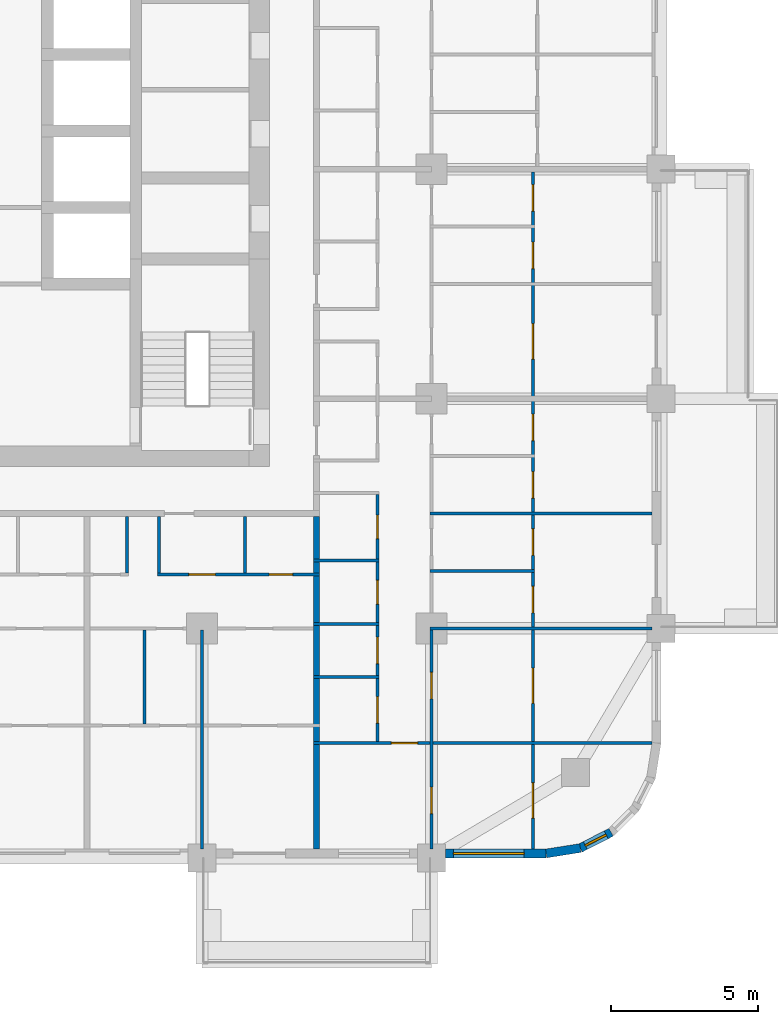
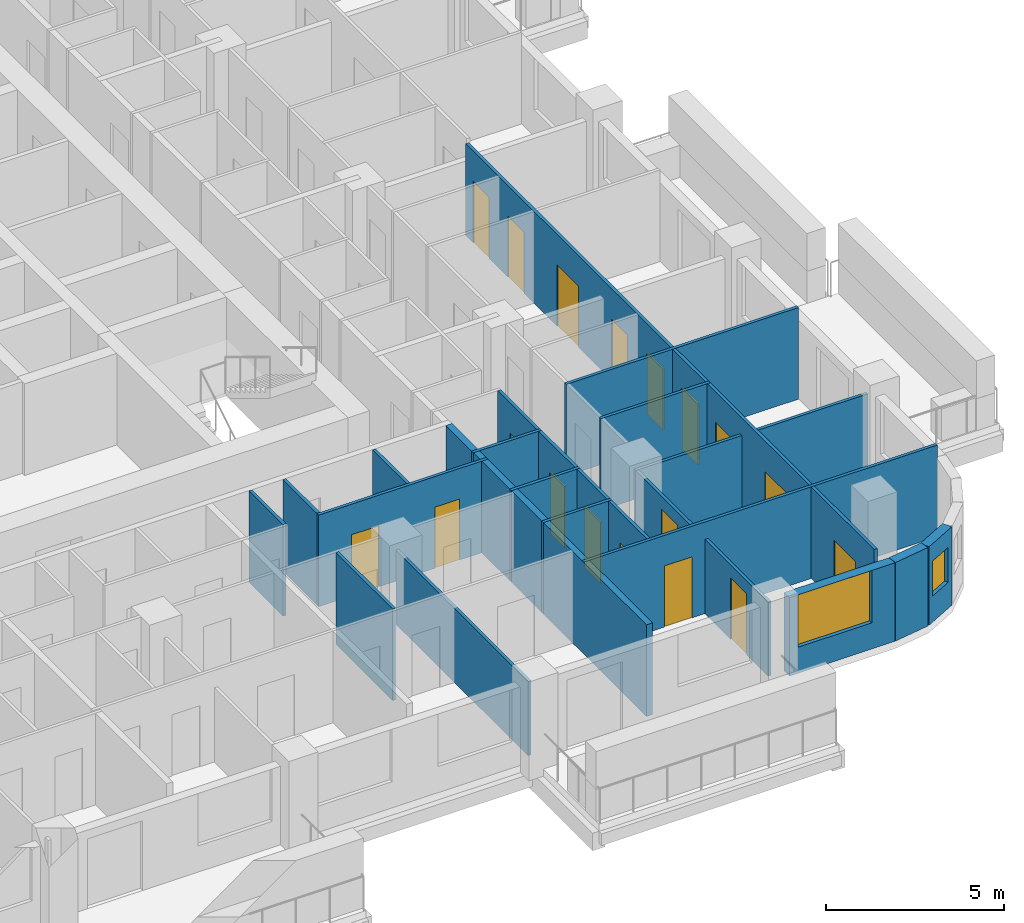
# One storey, part 7 of 18: 20 walls, 18 doors, 2 windows, 20 openings.
"""IFC4 building model written with IfcOpenShell, lengths in metres."""

from ifc_helpers import new_model, si_unit, direction, frame, frame_2d, origin, place, context, subcontext, project, spatial, rectangle, extrude, material, layer, layer_set, type_object, element, fill, save


model = new_model("IFC4")

# Units and contexts
model_context = context("Model", 3, precision=1e-05, world=origin(), true_north=direction((0.0, 1.0)))
body_context = subcontext(model_context, "Body", "Model", "MODEL_VIEW")
ifc_project = project(units=[si_unit("LENGTHUNIT", "METRE"), si_unit("AREAUNIT", "SQUARE_METRE"), si_unit("VOLUMEUNIT", "CUBIC_METRE"), si_unit("PLANEANGLEUNIT", "RADIAN"), si_unit("MASSUNIT", "GRAM", prefix="KILO")], contexts=[model_context])

# Site, building, storey
site_placement = place(None, origin())
site = spatial("IfcSite", under=ifc_project, at=site_placement, CompositionType="ELEMENT")
building_placement = place(site_placement, origin())
building = spatial("IfcBuilding", under=site, at=building_placement, Name="Ludao Terraces", CompositionType="ELEMENT")
storey_placement = place(building_placement, frame((0.0, 0.0, 61.39990234375)))
storey = spatial("IfcBuildingStorey", under=building, at=storey_placement, Name="L16", CompositionType="ELEMENT", Elevation=61.39990234375)

# Wall, opening, window
ifc_material_1 = material(Name="Granite cladding", Category="masonry")
ifc_layer_1 = layer(ifc_material_1, 0.0400390625, Category="stone")
ifc_material_2 = material(Name="Mineral wool")
ifc_layer_2 = layer(ifc_material_2, 0.06005859375)
ifc_material_3 = material(Name="Concrete C40", Category="concrete")
ifc_layer_3 = layer(ifc_material_3, 0.199951171875, Category="concrete")
ifc_layer_set_1 = layer_set([ifc_layer_1, ifc_layer_2, ifc_layer_3], Name="ENV Stone-clad wall 300")
wall_type_1 = type_object("IfcWallType", Name="ENV Stone-clad wall 300", PredefinedType="SOLIDWALL", material=ifc_layer_set_1)
wall_1_placement = place(storey_placement, frame((101.074951171875, 41.75, 0.0), z_axis=(0.0, 0.0, 1.0), x_axis=(1.0, 0.0, 0.0)))
wall_1 = element("IfcWall", 1, at=wall_1_placement, inside=storey, type_object=wall_type_1, Name="EW-L16-S6", PredefinedType="SOLIDWALL", context=body_context, shape_type="SweptSolid", body=[
    extrude(rectangle(XDim=3.425048828125, YDim=0.300048828125, at=frame_2d((1.71240234375, 0.0))), origin(), (0.0, 0.0, 1.0), 2.7001953125),
])
opening_1_placement = place(wall_1_placement, frame((0.27490234375, 0.0, 0.89990234375)))
opening_1 = element("IfcOpeningElement", 2, at=opening_1_placement, cuts=wall_1, Name="Opening W1", PredefinedType="OPENING", context=body_context, shape_type="SweptSolid", body=[
    extrude(rectangle(XDim=2.39990234375, YDim=1.800048828125, at=frame_2d((1.199951171875, 0.89990234375))), frame((0.0, 0.16015625, 0.0), z_axis=(0.0, -1.0, 0.0), x_axis=(1.0, 0.0, 0.0)), (0.0, 0.0, 1.0), 0.320068359375),
])
ifc_material_4 = material(Name="Clear glass in aluminium frame", Category="aluminium")
ifc_layer_4 = layer(ifc_material_4, 0.06005859375)
ifc_layer_set_2 = layer_set([ifc_layer_4], Name="ENV Window W1 2400x1800")
window_type_1 = type_object("IfcWindowType", Name="ENV Window W1 2400x1800", PartitioningType="DOUBLE_PANEL_VERTICAL", PredefinedType="WINDOW", material=ifc_layer_set_2)
window_1_placement = place(opening_1_placement, origin())
window_1 = element("IfcWindow", 3, at=window_1_placement, inside=storey, type_object=window_type_1, Name="W-L16-S6-1", OverallHeight=1.800048828125, OverallWidth=2.39990234375, PartitioningType="DOUBLE_PANEL_VERTICAL", PredefinedType="WINDOW", context=body_context, shape_type="SweptSolid", body=[
    extrude(rectangle(XDim=2.39990234375, YDim=1.800048828125, at=frame_2d((1.199951171875, 0.89990234375))), frame((0.0, 0.030029296875, 0.0), z_axis=(0.0, -1.0, 0.0), x_axis=(1.0, 0.0, 0.0)), (0.0, 0.0, 1.0), 0.06005859375),
])
fill(opening_1, window_1)

# Wall
wall_2_placement = place(storey_placement, frame((104.5, 41.75, 0.0), z_axis=(0.0, 0.0, 1.0), x_axis=(0.987678452879, 0.156496880861, 0.0)))
element("IfcWall", 4, at=wall_2_placement, inside=storey, type_object=wall_type_1, Name="EW-L16-SE1", PredefinedType="SOLIDWALL", context=body_context, shape_type="SweptSolid", body=[
    extrude(rectangle(XDim=1.173095703125, YDim=0.300048828125, at=frame_2d((0.58642578125, 0.0))), origin(), (0.0, 0.0, 1.0), 2.7001953125),
])

# Wall, opening, window
wall_3_placement = place(storey_placement, frame((105.65869140625, 41.93359375, 0.0), z_axis=(0.0, 0.0, 1.0), x_axis=(0.890988677504, 0.454025524128, 0.0)))
wall_3 = element("IfcWall", 5, at=wall_3_placement, inside=storey, type_object=wall_type_1, Name="EW-L16-SE2", PredefinedType="SOLIDWALL", context=body_context, shape_type="SweptSolid", body=[
    extrude(rectangle(XDim=1.17333984375, YDim=0.300048828125, at=frame_2d((0.586669921875, 0.0))), origin(), (0.0, 0.0, 1.0), 2.7001953125),
])
opening_2_placement = place(wall_3_placement, frame((0.1865234375, 0.0, 0.89990234375)))
opening_2 = element("IfcOpeningElement", 6, at=opening_2_placement, cuts=wall_3, Name="Opening W3", PredefinedType="OPENING", context=body_context, shape_type="SweptSolid", body=[
    extrude(rectangle(XDim=0.800048828125, YDim=1.199951171875, at=frame_2d((0.39990234375, 0.60009765625))), frame((0.0, 0.16015625, 0.0), z_axis=(0.0, -1.0, 0.0), x_axis=(1.0, 0.0, 0.0)), (0.0, 0.0, 1.0), 0.320068359375),
])
ifc_layer_5 = layer(ifc_material_4, 0.06005859375)
ifc_layer_set_3 = layer_set([ifc_layer_5], Name="ENV Window W3 800x1200")
window_type_2 = type_object("IfcWindowType", Name="ENV Window W3 800x1200", PartitioningType="SINGLE_PANEL", PredefinedType="WINDOW", material=ifc_layer_set_3)
window_2_placement = place(opening_2_placement, origin())
window_2 = element("IfcWindow", 7, at=window_2_placement, inside=storey, type_object=window_type_2, Name="W-L16-SE2", OverallHeight=1.199951171875, OverallWidth=0.800048828125, PartitioningType="SINGLE_PANEL", PredefinedType="WINDOW", context=body_context, shape_type="SweptSolid", body=[
    extrude(rectangle(XDim=0.800048828125, YDim=1.199951171875, at=frame_2d((0.39990234375, 0.60009765625))), frame((0.0, 0.030029296875, 0.0), z_axis=(0.0, -1.0, 0.0), x_axis=(1.0, 0.0, 0.0)), (0.0, 0.0, 1.0), 0.06005859375),
])
fill(opening_2, window_2)

# Wall, opening, door
ifc_material_5 = material(Name="Gypsum plasterboard", Category="gypsum")
ifc_layer_6 = layer(ifc_material_5, 0.012451171875, Category="gypsum")
ifc_layer_7 = layer(ifc_material_2, 0.06005859375, Name="insulation")
ifc_material_6 = material(Name="Steel Q235", Category="steel")
ifc_layer_8 = layer(ifc_material_6, 0.014892578125, Name="stud")
ifc_layer_9 = layer(ifc_material_5, 0.012451171875, Category="gypsum")
ifc_layer_set_4 = layer_set([ifc_layer_6, ifc_layer_7, ifc_layer_8, ifc_layer_9], Name="INT Partition 100")
wall_type_2 = type_object("IfcWallType", Name="INT Partition 100", PredefinedType="PARTITIONING", material=ifc_layer_set_4)
wall_4_placement = place(storey_placement, frame((96.60009765625, 45.5, 0.0), z_axis=(0.0, 0.0, 1.0), x_axis=(1.0, 0.0, 0.0)))
wall_4 = element("IfcWall", 8, at=wall_4_placement, inside=storey, type_object=wall_type_2, Name="PW-L16-PW001", PredefinedType="PARTITIONING", context=body_context, shape_type="SweptSolid", body=[
    extrude(rectangle(XDim=11.5, YDim=0.10009765625, at=frame_2d((5.75, 0.0))), origin(), (0.0, 0.0, 1.0), 3.150146484375),
])
opening_3_placement = place(wall_4_placement, frame((2.635009765625, 0.0, 0.0)))
opening_3 = element("IfcOpeningElement", 9, at=opening_3_placement, cuts=wall_4, Name="Opening R05-006", PredefinedType="OPENING", context=body_context, shape_type="SweptSolid", body=[
    extrude(rectangle(XDim=0.89990234375, YDim=2.10009765625, at=frame_2d((0.449951171875, 1.050048828125))), frame((0.0, 0.06005859375, 0.0), z_axis=(0.0, -1.0, 0.0), x_axis=(1.0, 0.0, 0.0)), (0.0, 0.0, 1.0), 0.1201171875),
])
ifc_material_7 = material(Name="Timber door leaf", Category="wood")
door_type_1 = type_object("IfcDoorType", Name="INT Room door 900", OperationType="SINGLE_SWING_LEFT", PredefinedType="DOOR", material=ifc_material_7)
door_1_placement = place(opening_3_placement, origin())
door_1 = element("IfcDoor", 10, at=door_1_placement, inside=storey, type_object=door_type_1, Name="DOOR 006", OperationType="SINGLE_SWING_RIGHT", OverallHeight=2.10009765625, OverallWidth=0.89990234375, PredefinedType="DOOR", context=body_context, shape_type="SweptSolid", body=[
    extrude(rectangle(XDim=0.89990234375, YDim=2.10009765625, at=frame_2d((0.449951171875, 1.050048828125))), frame((0.0, 0.02490234375, 0.0), z_axis=(0.0, -1.0, 0.0), x_axis=(1.0, 0.0, 0.0)), (0.0, 0.0, 1.0), 0.050048828125),
])
fill(opening_3, door_1)

# Walls
wall_5_placement = place(storey_placement, frame((96.60009765625, 47.75, 0.0), z_axis=(0.0, 0.0, 1.0), x_axis=(1.0, 0.0, 0.0)))
element("IfcWall", 11, at=wall_5_placement, inside=storey, type_object=wall_type_2, Name="PW-L16-PW005", PredefinedType="PARTITIONING", context=body_context, shape_type="SweptSolid", body=[
    extrude(rectangle(XDim=2.219970703125, YDim=0.10009765625, at=frame_2d((1.10986328125, 0.0))), origin(), (0.0, 0.0, 1.0), 3.150146484375),
])
wall_6_placement = place(storey_placement, frame((100.550048828125, 49.39990234375, 0.0), z_axis=(0.0, 0.0, 1.0), x_axis=(1.0, 0.0, 0.0)))
element("IfcWall", 12, at=wall_6_placement, inside=storey, type_object=wall_type_2, Name="PW-L16-PW009", PredefinedType="PARTITIONING", context=body_context, shape_type="SweptSolid", body=[
    extrude(rectangle(XDim=7.550048828125, YDim=0.10009765625, at=frame_2d((3.77490234375, 0.0))), origin(), (0.0, 0.0, 1.0), 2.550048828125),
])
wall_7_placement = place(storey_placement, frame((96.60009765625, 49.550048828125, 0.0), z_axis=(0.0, 0.0, 1.0), x_axis=(1.0, 0.0, 0.0)))
element("IfcWall", 13, at=wall_7_placement, inside=storey, type_object=wall_type_2, Name="PW-L16-PW010", PredefinedType="PARTITIONING", context=body_context, shape_type="SweptSolid", body=[
    extrude(rectangle(XDim=2.219970703125, YDim=0.10009765625, at=frame_2d((1.10986328125, 0.0))), origin(), (0.0, 0.0, 1.0), 3.150146484375),
])

# Wall, openings, doors
wall_8_placement = place(storey_placement, frame((91.300048828125, 51.22998046875, 0.0), z_axis=(0.0, 0.0, 1.0), x_axis=(1.0, 0.0, 0.0)))
wall_8 = element("IfcWall", 14, at=wall_8_placement, inside=storey, type_object=wall_type_2, Name="PW-L16-PW014", PredefinedType="PARTITIONING", context=body_context, shape_type="SweptSolid", body=[
    extrude(rectangle(XDim=5.5, YDim=0.10009765625, at=frame_2d((2.75, 0.0))), origin(), (0.0, 0.0, 1.0), 3.150146484375),
])
opening_4_placement = place(wall_8_placement, frame((1.06005859375, 0.0, 0.0)))
opening_4 = element("IfcOpeningElement", 15, at=opening_4_placement, cuts=wall_8, Name="Opening R05-040", PredefinedType="OPENING", context=body_context, shape_type="SweptSolid", body=[
    extrude(rectangle(XDim=0.89990234375, YDim=2.10009765625, at=frame_2d((0.449951171875, 1.050048828125))), frame((0.0, 0.06005859375, 0.0), z_axis=(0.0, -1.0, 0.0), x_axis=(1.0, 0.0, 0.0)), (0.0, 0.0, 1.0), 0.1201171875),
])
opening_5_placement = place(wall_8_placement, frame((3.784912109375, 0.0, 0.0)))
opening_5 = element("IfcOpeningElement", 16, at=opening_5_placement, cuts=wall_8, Name="Opening R05-041", PredefinedType="OPENING", context=body_context, shape_type="SweptSolid", body=[
    extrude(rectangle(XDim=0.800048828125, YDim=2.10009765625, at=frame_2d((0.39990234375, 1.050048828125))), frame((0.0, 0.06005859375, 0.0), z_axis=(0.0, -1.0, 0.0), x_axis=(1.0, 0.0, 0.0)), (0.0, 0.0, 1.0), 0.1201171875),
])
door_2_placement = place(opening_4_placement, origin())
door_2 = element("IfcDoor", 17, at=door_2_placement, inside=storey, type_object=door_type_1, Name="DOOR 040", OperationType="SINGLE_SWING_LEFT", OverallHeight=2.10009765625, OverallWidth=0.89990234375, PredefinedType="DOOR", context=body_context, shape_type="SweptSolid", body=[
    extrude(rectangle(XDim=0.89990234375, YDim=2.10009765625, at=frame_2d((0.449951171875, 1.050048828125))), frame((0.0, 0.02490234375, 0.0), z_axis=(0.0, -1.0, 0.0), x_axis=(1.0, 0.0, 0.0)), (0.0, 0.0, 1.0), 0.050048828125),
])
fill(opening_4, door_2)
door_type_2 = type_object("IfcDoorType", Name="INT Store door 800", OperationType="SINGLE_SWING_LEFT", PredefinedType="DOOR", material=ifc_material_7)
door_3_placement = place(opening_5_placement, origin())
door_3 = element("IfcDoor", 18, at=door_3_placement, inside=storey, type_object=door_type_2, Name="DOOR 041", OperationType="SINGLE_SWING_RIGHT", OverallHeight=2.10009765625, OverallWidth=0.800048828125, PredefinedType="DOOR", context=body_context, shape_type="SweptSolid", body=[
    extrude(rectangle(XDim=0.800048828125, YDim=2.10009765625, at=frame_2d((0.39990234375, 1.050048828125))), frame((0.0, 0.02490234375, 0.0), z_axis=(0.0, -1.0, 0.0), x_axis=(1.0, 0.0, 0.0)), (0.0, 0.0, 1.0), 0.050048828125),
])
fill(opening_5, door_3)

# Walls
wall_9_placement = place(storey_placement, frame((100.550048828125, 51.35009765625, 0.0), z_axis=(0.0, 0.0, 1.0), x_axis=(1.0, 0.0, 0.0)))
element("IfcWall", 19, at=wall_9_placement, inside=storey, type_object=wall_type_2, Name="PW-L16-PW015", PredefinedType="PARTITIONING", context=body_context, shape_type="SweptSolid", body=[
    extrude(rectangle(XDim=3.550048828125, YDim=0.10009765625, at=frame_2d((1.77490234375, 0.0))), origin(), (0.0, 0.0, 1.0), 3.150146484375),
])
wall_10_placement = place(storey_placement, frame((96.60009765625, 51.699951171875, 0.0), z_axis=(0.0, 0.0, 1.0), x_axis=(1.0, 0.0, 0.0)))
element("IfcWall", 20, at=wall_10_placement, inside=storey, type_object=wall_type_2, Name="PW-L16-PW017", PredefinedType="PARTITIONING", context=body_context, shape_type="SweptSolid", body=[
    extrude(rectangle(XDim=2.219970703125, YDim=0.10009765625, at=frame_2d((1.10986328125, 0.0))), origin(), (0.0, 0.0, 1.0), 3.150146484375),
])
wall_11_placement = place(storey_placement, frame((100.550048828125, 53.300048828125, 0.0), z_axis=(0.0, 0.0, 1.0), x_axis=(1.0, 0.0, 0.0)))
element("IfcWall", 21, at=wall_11_placement, inside=storey, type_object=wall_type_2, Name="PW-L16-PW020", PredefinedType="PARTITIONING", context=body_context, shape_type="SweptSolid", body=[
    extrude(rectangle(XDim=7.550048828125, YDim=0.10009765625, at=frame_2d((3.77490234375, 0.0))), origin(), (0.0, 0.0, 1.0), 3.150146484375),
])
wall_12_placement = place(storey_placement, frame((90.25, 51.280029296875, 0.0), z_axis=(0.0, 0.0, 1.0), x_axis=(0.0, 1.0, 0.0)))
element("IfcWall", 22, at=wall_12_placement, inside=storey, type_object=wall_type_2, Name="PW-L16-PW111", PredefinedType="PARTITIONING", context=body_context, shape_type="SweptSolid", body=[
    extrude(rectangle(XDim=1.920166015625, YDim=0.10009765625, at=frame_2d((0.9599609375, 0.0))), origin(), (0.0, 0.0, 1.0), 3.150146484375),
])
wall_13_placement = place(storey_placement, frame((90.85009765625, 46.150146484375, 0.0), z_axis=(0.0, 0.0, 1.0), x_axis=(0.0, 1.0, 0.0)))
element("IfcWall", 23, at=wall_13_placement, inside=storey, type_object=wall_type_2, Name="PW-L16-PW112", PredefinedType="PARTITIONING", context=body_context, shape_type="SweptSolid", body=[
    extrude(rectangle(XDim=3.199951171875, YDim=0.10009765625, at=frame_2d((1.60009765625, 0.0))), origin(), (0.0, 0.0, 1.0), 3.150146484375),
])
wall_14_placement = place(storey_placement, frame((91.35009765625, 51.280029296875, 0.0), z_axis=(0.0, 0.0, 1.0), x_axis=(0.0, 1.0, 0.0)))
element("IfcWall", 24, at=wall_14_placement, inside=storey, type_object=wall_type_2, Name="PW-L16-PW113", PredefinedType="PARTITIONING", context=body_context, shape_type="SweptSolid", body=[
    extrude(rectangle(XDim=1.920166015625, YDim=0.10009765625, at=frame_2d((0.9599609375, 0.0))), origin(), (0.0, 0.0, 1.0), 3.150146484375),
])
wall_15_placement = place(storey_placement, frame((92.800048828125, 41.900146484375, 0.0), z_axis=(0.0, 0.0, 1.0), x_axis=(0.0, 1.0, 0.0)))
element("IfcWall", 25, at=wall_15_placement, inside=storey, type_object=wall_type_2, Name="PW-L16-PW114", PredefinedType="PARTITIONING", context=body_context, shape_type="SweptSolid", body=[
    extrude(rectangle(XDim=7.449951171875, YDim=0.10009765625, at=frame_2d((3.72509765625, 0.0))), origin(), (0.0, 0.0, 1.0), 2.550048828125),
])
wall_16_placement = place(storey_placement, frame((94.27001953125, 51.280029296875, 0.0), z_axis=(0.0, 0.0, 1.0), x_axis=(0.0, 1.0, 0.0)))
element("IfcWall", 26, at=wall_16_placement, inside=storey, type_object=wall_type_2, Name="PW-L16-PW116", PredefinedType="PARTITIONING", context=body_context, shape_type="SweptSolid", body=[
    extrude(rectangle(XDim=1.920166015625, YDim=0.10009765625, at=frame_2d((0.9599609375, 0.0))), origin(), (0.0, 0.0, 1.0), 3.150146484375),
])

# Wall, openings, doors
wall_17_placement = place(storey_placement, frame((98.77001953125, 45.550048828125, 0.0), z_axis=(0.0, 0.0, 1.0), x_axis=(0.0, 1.0, 0.0)))
wall_17 = element("IfcWall", 27, at=wall_17_placement, inside=storey, type_object=wall_type_2, Name="PW-L16-PW120", PredefinedType="PARTITIONING", context=body_context, shape_type="SweptSolid", body=[
    extrude(rectangle(XDim=8.400146484375, YDim=0.10009765625, at=frame_2d((4.2001953125, 0.0))), origin(), (0.0, 0.0, 1.0), 3.150146484375),
])
opening_6_placement = place(wall_17_placement, frame((0.625, 0.0, 0.0)))
opening_6 = element("IfcOpeningElement", 28, at=opening_6_placement, cuts=wall_17, Name="Opening R05-017", PredefinedType="OPENING", context=body_context, shape_type="SweptSolid", body=[
    extrude(rectangle(XDim=0.89990234375, YDim=2.10009765625, at=frame_2d((0.449951171875, 1.050048828125))), frame((0.0, 0.06005859375, 0.0), z_axis=(0.0, -1.0, 0.0), x_axis=(1.0, 0.0, 0.0)), (0.0, 0.0, 1.0), 0.1201171875),
])
opening_7_placement = place(wall_17_placement, frame((2.64990234375, 0.0, 0.0)))
opening_7 = element("IfcOpeningElement", 29, at=opening_7_placement, cuts=wall_17, Name="Opening R05-023", PredefinedType="OPENING", context=body_context, shape_type="SweptSolid", body=[
    extrude(rectangle(XDim=0.89990234375, YDim=2.10009765625, at=frame_2d((0.449951171875, 1.050048828125))), frame((0.0, 0.06005859375, 0.0), z_axis=(0.0, -1.0, 0.0), x_axis=(1.0, 0.0, 0.0)), (0.0, 0.0, 1.0), 0.1201171875),
])
opening_8_placement = place(wall_17_placement, frame((4.675048828125, 0.0, 0.0)))
opening_8 = element("IfcOpeningElement", 30, at=opening_8_placement, cuts=wall_17, Name="Opening R05-032", PredefinedType="OPENING", context=body_context, shape_type="SweptSolid", body=[
    extrude(rectangle(XDim=0.800048828125, YDim=2.10009765625, at=frame_2d((0.39990234375, 1.050048828125))), frame((0.0, 0.06005859375, 0.0), z_axis=(0.0, -1.0, 0.0), x_axis=(1.0, 0.0, 0.0)), (0.0, 0.0, 1.0), 0.1201171875),
])
opening_9_placement = place(wall_17_placement, frame((6.89990234375, 0.0, 0.0)))
opening_9 = element("IfcOpeningElement", 31, at=opening_9_placement, cuts=wall_17, Name="Opening R05-047", PredefinedType="OPENING", context=body_context, shape_type="SweptSolid", body=[
    extrude(rectangle(XDim=0.800048828125, YDim=2.10009765625, at=frame_2d((0.39990234375, 1.050048828125))), frame((0.0, 0.06005859375, 0.0), z_axis=(0.0, -1.0, 0.0), x_axis=(1.0, 0.0, 0.0)), (0.0, 0.0, 1.0), 0.1201171875),
])
door_type_3 = type_object("IfcDoorType", Name="INT Bathroom door 900", OperationType="SINGLE_SWING_LEFT", PredefinedType="DOOR", material=ifc_material_7)
door_4_placement = place(opening_6_placement, origin())
door_4 = element("IfcDoor", 32, at=door_4_placement, inside=storey, type_object=door_type_3, Name="DOOR 017", OperationType="SINGLE_SWING_LEFT", OverallHeight=2.10009765625, OverallWidth=0.89990234375, PredefinedType="DOOR", context=body_context, shape_type="SweptSolid", body=[
    extrude(rectangle(XDim=0.89990234375, YDim=2.10009765625, at=frame_2d((0.449951171875, 1.050048828125))), frame((0.0, 0.02490234375, 0.0), z_axis=(0.0, -1.0, 0.0), x_axis=(1.0, 0.0, 0.0)), (0.0, 0.0, 1.0), 0.050048828125),
])
fill(opening_6, door_4)
door_5_placement = place(opening_7_placement, origin())
door_5 = element("IfcDoor", 33, at=door_5_placement, inside=storey, type_object=door_type_3, Name="DOOR 023", OperationType="SINGLE_SWING_RIGHT", OverallHeight=2.10009765625, OverallWidth=0.89990234375, PredefinedType="DOOR", context=body_context, shape_type="SweptSolid", body=[
    extrude(rectangle(XDim=0.89990234375, YDim=2.10009765625, at=frame_2d((0.449951171875, 1.050048828125))), frame((0.0, 0.02490234375, 0.0), z_axis=(0.0, -1.0, 0.0), x_axis=(1.0, 0.0, 0.0)), (0.0, 0.0, 1.0), 0.050048828125),
])
fill(opening_7, door_5)
door_6_placement = place(opening_8_placement, origin())
door_6 = element("IfcDoor", 34, at=door_6_placement, inside=storey, type_object=door_type_2, Name="DOOR 032", OperationType="SINGLE_SWING_LEFT", OverallHeight=2.10009765625, OverallWidth=0.800048828125, PredefinedType="DOOR", context=body_context, shape_type="SweptSolid", body=[
    extrude(rectangle(XDim=0.800048828125, YDim=2.10009765625, at=frame_2d((0.39990234375, 1.050048828125))), frame((0.0, 0.02490234375, 0.0), z_axis=(0.0, -1.0, 0.0), x_axis=(1.0, 0.0, 0.0)), (0.0, 0.0, 1.0), 0.050048828125),
])
fill(opening_8, door_6)
door_7_placement = place(opening_9_placement, origin())
door_7 = element("IfcDoor", 35, at=door_7_placement, inside=storey, type_object=door_type_2, Name="DOOR 047", OperationType="SINGLE_SWING_LEFT", OverallHeight=2.10009765625, OverallWidth=0.800048828125, PredefinedType="DOOR", context=body_context, shape_type="SweptSolid", body=[
    extrude(rectangle(XDim=0.800048828125, YDim=2.10009765625, at=frame_2d((0.39990234375, 1.050048828125))), frame((0.0, 0.02490234375, 0.0), z_axis=(0.0, -1.0, 0.0), x_axis=(1.0, 0.0, 0.0)), (0.0, 0.0, 1.0), 0.050048828125),
])
fill(opening_9, door_7)

wall_18_placement = place(storey_placement, frame((100.60009765625, 41.900146484375, 0.0), z_axis=(0.0, 0.0, 1.0), x_axis=(0.0, 1.0, 0.0)))
wall_18 = element("IfcWall", 36, at=wall_18_placement, inside=storey, type_object=wall_type_2, Name="PW-L16-PW125", PredefinedType="PARTITIONING", context=body_context, shape_type="SweptSolid", body=[
    extrude(rectangle(XDim=7.499755859375, YDim=0.10009765625, at=frame_2d((3.75, 0.0))), origin(), (0.0, 0.0, 1.0), 2.550048828125),
])
opening_10_placement = place(wall_18_placement, frame((1.199951171875, 0.0, 0.0)))
opening_10 = element("IfcOpeningElement", 37, at=opening_10_placement, cuts=wall_18, Name="Opening R05-003", PredefinedType="OPENING", context=body_context, shape_type="SweptSolid", body=[
    extrude(rectangle(XDim=0.89990234375, YDim=2.10009765625, at=frame_2d((0.449951171875, 1.050048828125))), frame((0.0, 0.06005859375, 0.0), z_axis=(0.0, -1.0, 0.0), x_axis=(1.0, 0.0, 0.0)), (0.0, 0.0, 1.0), 0.1201171875),
])
opening_11_placement = place(wall_18_placement, frame((5.10009765625, 0.0, 0.0)))
opening_11 = element("IfcOpeningElement", 38, at=opening_11_placement, cuts=wall_18, Name="Opening R05-019", PredefinedType="OPENING", context=body_context, shape_type="SweptSolid", body=[
    extrude(rectangle(XDim=0.89990234375, YDim=2.10009765625, at=frame_2d((0.449951171875, 1.050048828125))), frame((0.0, 0.06005859375, 0.0), z_axis=(0.0, -1.0, 0.0), x_axis=(1.0, 0.0, 0.0)), (0.0, 0.0, 1.0), 0.1201171875),
])
door_8_placement = place(opening_10_placement, origin())
door_8 = element("IfcDoor", 39, at=door_8_placement, inside=storey, type_object=door_type_1, Name="DOOR 003", OperationType="SINGLE_SWING_RIGHT", OverallHeight=2.10009765625, OverallWidth=0.89990234375, PredefinedType="DOOR", context=body_context, shape_type="SweptSolid", body=[
    extrude(rectangle(XDim=0.89990234375, YDim=2.10009765625, at=frame_2d((0.449951171875, 1.050048828125))), frame((0.0, 0.02490234375, 0.0), z_axis=(0.0, -1.0, 0.0), x_axis=(1.0, 0.0, 0.0)), (0.0, 0.0, 1.0), 0.050048828125),
])
fill(opening_10, door_8)
door_9_placement = place(opening_11_placement, origin())
door_9 = element("IfcDoor", 40, at=door_9_placement, inside=storey, type_object=door_type_1, Name="DOOR 019", OperationType="SINGLE_SWING_RIGHT", OverallHeight=2.10009765625, OverallWidth=0.89990234375, PredefinedType="DOOR", context=body_context, shape_type="SweptSolid", body=[
    extrude(rectangle(XDim=0.89990234375, YDim=2.10009765625, at=frame_2d((0.449951171875, 1.050048828125))), frame((0.0, 0.02490234375, 0.0), z_axis=(0.0, -1.0, 0.0), x_axis=(1.0, 0.0, 0.0)), (0.0, 0.0, 1.0), 0.050048828125),
])
fill(opening_11, door_9)

wall_19_placement = place(storey_placement, frame((104.050048828125, 41.900146484375, 0.0), z_axis=(0.0, 0.0, 1.0), x_axis=(0.0, 1.0, 0.0)))
wall_19 = element("IfcWall", 41, at=wall_19_placement, inside=storey, type_object=wall_type_2, Name="PW-L16-PW126", PredefinedType="PARTITIONING", context=body_context, shape_type="SweptSolid", body=[
    extrude(rectangle(XDim=23.0, YDim=0.10009765625, at=frame_2d((11.5, 0.0))), origin(), (0.0, 0.0, 1.0), 3.150146484375),
])
opening_12_placement = place(wall_19_placement, frame((1.050048828125, 0.0, 0.0)))
opening_12 = element("IfcOpeningElement", 42, at=opening_12_placement, cuts=wall_19, Name="Opening R05-004", PredefinedType="OPENING", context=body_context, shape_type="SweptSolid", body=[
    extrude(rectangle(XDim=1.199951171875, YDim=2.10009765625, at=frame_2d((0.60009765625, 1.050048828125))), frame((0.0, 0.06005859375, 0.0), z_axis=(0.0, -1.0, 0.0), x_axis=(1.0, 0.0, 0.0)), (0.0, 0.0, 1.0), 0.1201171875),
])
opening_13_placement = place(wall_19_placement, frame((4.949951171875, 0.0, 0.0)))
opening_13 = element("IfcOpeningElement", 43, at=opening_13_placement, cuts=wall_19, Name="Opening R05-020", PredefinedType="OPENING", context=body_context, shape_type="SweptSolid", body=[
    extrude(rectangle(XDim=1.199951171875, YDim=2.10009765625, at=frame_2d((0.60009765625, 1.050048828125))), frame((0.0, 0.06005859375, 0.0), z_axis=(0.0, -1.0, 0.0), x_axis=(1.0, 0.0, 0.0)), (0.0, 0.0, 1.0), 0.1201171875),
])
opening_14_placement = place(wall_19_placement, frame((8.02490234375, 0.0, 0.0)))
opening_14 = element("IfcOpeningElement", 44, at=opening_14_placement, cuts=wall_19, Name="Opening R05-031", PredefinedType="OPENING", context=body_context, shape_type="SweptSolid", body=[
    extrude(rectangle(XDim=0.89990234375, YDim=2.10009765625, at=frame_2d((0.449951171875, 1.050048828125))), frame((0.0, 0.06005859375, 0.0), z_axis=(0.0, -1.0, 0.0), x_axis=(1.0, 0.0, 0.0)), (0.0, 0.0, 1.0), 0.1201171875),
])
opening_15_placement = place(wall_19_placement, frame((9.97509765625, 0.0, 0.0)))
opening_15 = element("IfcOpeningElement", 45, at=opening_15_placement, cuts=wall_19, Name="Opening R05-045", PredefinedType="OPENING", context=body_context, shape_type="SweptSolid", body=[
    extrude(rectangle(XDim=0.89990234375, YDim=2.10009765625, at=frame_2d((0.449951171875, 1.050048828125))), frame((0.0, 0.06005859375, 0.0), z_axis=(0.0, -1.0, 0.0), x_axis=(1.0, 0.0, 0.0)), (0.0, 0.0, 1.0), 0.1201171875),
])
opening_16_placement = place(wall_19_placement, frame((11.925048828125, 0.0, 0.0)))
opening_16 = element("IfcOpeningElement", 46, at=opening_16_placement, cuts=wall_19, Name="Opening R05-051", PredefinedType="OPENING", context=body_context, shape_type="SweptSolid", body=[
    extrude(rectangle(XDim=0.89990234375, YDim=2.10009765625, at=frame_2d((0.449951171875, 1.050048828125))), frame((0.0, 0.06005859375, 0.0), z_axis=(0.0, -1.0, 0.0), x_axis=(1.0, 0.0, 0.0)), (0.0, 0.0, 1.0), 0.1201171875),
])
opening_17_placement = place(wall_19_placement, frame((13.875, 0.0, 0.0)))
opening_17 = element("IfcOpeningElement", 47, at=opening_17_placement, cuts=wall_19, Name="Opening R05-060", PredefinedType="OPENING", context=body_context, shape_type="SweptSolid", body=[
    extrude(rectangle(XDim=0.89990234375, YDim=2.10009765625, at=frame_2d((0.449951171875, 1.050048828125))), frame((0.0, 0.06005859375, 0.0), z_axis=(0.0, -1.0, 0.0), x_axis=(1.0, 0.0, 0.0)), (0.0, 0.0, 1.0), 0.1201171875),
])
opening_18_placement = place(wall_19_placement, frame((16.64990234375, 0.0, 0.0)))
opening_18 = element("IfcOpeningElement", 48, at=opening_18_placement, cuts=wall_19, Name="Opening R05-068", PredefinedType="OPENING", context=body_context, shape_type="SweptSolid", body=[
    extrude(rectangle(XDim=1.199951171875, YDim=2.10009765625, at=frame_2d((0.60009765625, 1.050048828125))), frame((0.0, 0.06005859375, 0.0), z_axis=(0.0, -1.0, 0.0), x_axis=(1.0, 0.0, 0.0)), (0.0, 0.0, 1.0), 0.1201171875),
])
opening_19_placement = place(wall_19_placement, frame((19.72509765625, 0.0, 0.0)))
opening_19 = element("IfcOpeningElement", 49, at=opening_19_placement, cuts=wall_19, Name="Opening R05-077", PredefinedType="OPENING", context=body_context, shape_type="SweptSolid", body=[
    extrude(rectangle(XDim=0.89990234375, YDim=2.10009765625, at=frame_2d((0.449951171875, 1.050048828125))), frame((0.0, 0.06005859375, 0.0), z_axis=(0.0, -1.0, 0.0), x_axis=(1.0, 0.0, 0.0)), (0.0, 0.0, 1.0), 0.1201171875),
])
opening_20_placement = place(wall_19_placement, frame((21.675048828125, 0.0, 0.0)))
opening_20 = element("IfcOpeningElement", 50, at=opening_20_placement, cuts=wall_19, Name="Opening R05-086", PredefinedType="OPENING", context=body_context, shape_type="SweptSolid", body=[
    extrude(rectangle(XDim=0.89990234375, YDim=2.10009765625, at=frame_2d((0.449951171875, 1.050048828125))), frame((0.0, 0.06005859375, 0.0), z_axis=(0.0, -1.0, 0.0), x_axis=(1.0, 0.0, 0.0)), (0.0, 0.0, 1.0), 0.1201171875),
])
door_10_placement = place(opening_14_placement, origin())
door_10 = element("IfcDoor", 51, at=door_10_placement, inside=storey, type_object=door_type_3, Name="DOOR 031", OperationType="SINGLE_SWING_LEFT", OverallHeight=2.10009765625, OverallWidth=0.89990234375, PredefinedType="DOOR", context=body_context, shape_type="SweptSolid", body=[
    extrude(rectangle(XDim=0.89990234375, YDim=2.10009765625, at=frame_2d((0.449951171875, 1.050048828125))), frame((0.0, 0.02490234375, 0.0), z_axis=(0.0, -1.0, 0.0), x_axis=(1.0, 0.0, 0.0)), (0.0, 0.0, 1.0), 0.050048828125),
])
fill(opening_14, door_10)
door_11_placement = place(opening_16_placement, origin())
door_11 = element("IfcDoor", 52, at=door_11_placement, inside=storey, type_object=door_type_3, Name="DOOR 051", OperationType="SINGLE_SWING_LEFT", OverallHeight=2.10009765625, OverallWidth=0.89990234375, PredefinedType="DOOR", context=body_context, shape_type="SweptSolid", body=[
    extrude(rectangle(XDim=0.89990234375, YDim=2.10009765625, at=frame_2d((0.449951171875, 1.050048828125))), frame((0.0, 0.02490234375, 0.0), z_axis=(0.0, -1.0, 0.0), x_axis=(1.0, 0.0, 0.0)), (0.0, 0.0, 1.0), 0.050048828125),
])
fill(opening_16, door_11)
door_12_placement = place(opening_19_placement, origin())
door_12 = element("IfcDoor", 53, at=door_12_placement, inside=storey, type_object=door_type_3, Name="DOOR 077", OperationType="SINGLE_SWING_RIGHT", OverallHeight=2.10009765625, OverallWidth=0.89990234375, PredefinedType="DOOR", context=body_context, shape_type="SweptSolid", body=[
    extrude(rectangle(XDim=0.89990234375, YDim=2.10009765625, at=frame_2d((0.449951171875, 1.050048828125))), frame((0.0, 0.02490234375, 0.0), z_axis=(0.0, -1.0, 0.0), x_axis=(1.0, 0.0, 0.0)), (0.0, 0.0, 1.0), 0.050048828125),
])
fill(opening_19, door_12)
door_type_4 = type_object("IfcDoorType", Name="INT Double door 1200", OperationType="DOUBLE_DOOR_SINGLE_SWING", PredefinedType="DOOR", material=ifc_material_7)
door_13_placement = place(opening_12_placement, origin())
door_13 = element("IfcDoor", 54, at=door_13_placement, inside=storey, type_object=door_type_4, Name="DOOR 004", OperationType="DOUBLE_DOOR_SINGLE_SWING", OverallHeight=2.10009765625, OverallWidth=1.199951171875, PredefinedType="DOOR", context=body_context, shape_type="SweptSolid", body=[
    extrude(rectangle(XDim=1.199951171875, YDim=2.10009765625, at=frame_2d((0.60009765625, 1.050048828125))), frame((0.0, 0.02490234375, 0.0), z_axis=(0.0, -1.0, 0.0), x_axis=(1.0, 0.0, 0.0)), (0.0, 0.0, 1.0), 0.050048828125),
])
fill(opening_12, door_13)
door_14_placement = place(opening_13_placement, origin())
door_14 = element("IfcDoor", 55, at=door_14_placement, inside=storey, type_object=door_type_4, Name="DOOR 020", OperationType="DOUBLE_DOOR_SINGLE_SWING", OverallHeight=2.10009765625, OverallWidth=1.199951171875, PredefinedType="DOOR", context=body_context, shape_type="SweptSolid", body=[
    extrude(rectangle(XDim=1.199951171875, YDim=2.10009765625, at=frame_2d((0.60009765625, 1.050048828125))), frame((0.0, 0.02490234375, 0.0), z_axis=(0.0, -1.0, 0.0), x_axis=(1.0, 0.0, 0.0)), (0.0, 0.0, 1.0), 0.050048828125),
])
fill(opening_13, door_14)
door_15_placement = place(opening_18_placement, origin())
door_15 = element("IfcDoor", 56, at=door_15_placement, inside=storey, type_object=door_type_4, Name="DOOR 068", OperationType="DOUBLE_DOOR_SINGLE_SWING", OverallHeight=2.10009765625, OverallWidth=1.199951171875, PredefinedType="DOOR", context=body_context, shape_type="SweptSolid", body=[
    extrude(rectangle(XDim=1.199951171875, YDim=2.10009765625, at=frame_2d((0.60009765625, 1.050048828125))), frame((0.0, 0.02490234375, 0.0), z_axis=(0.0, -1.0, 0.0), x_axis=(1.0, 0.0, 0.0)), (0.0, 0.0, 1.0), 0.050048828125),
])
fill(opening_18, door_15)
door_16_placement = place(opening_15_placement, origin())
door_16 = element("IfcDoor", 57, at=door_16_placement, inside=storey, type_object=door_type_1, Name="DOOR 045", OperationType="SINGLE_SWING_LEFT", OverallHeight=2.10009765625, OverallWidth=0.89990234375, PredefinedType="DOOR", context=body_context, shape_type="SweptSolid", body=[
    extrude(rectangle(XDim=0.89990234375, YDim=2.10009765625, at=frame_2d((0.449951171875, 1.050048828125))), frame((0.0, 0.02490234375, 0.0), z_axis=(0.0, -1.0, 0.0), x_axis=(1.0, 0.0, 0.0)), (0.0, 0.0, 1.0), 0.050048828125),
])
fill(opening_15, door_16)
door_17_placement = place(opening_17_placement, origin())
door_17 = element("IfcDoor", 58, at=door_17_placement, inside=storey, type_object=door_type_1, Name="DOOR 060", OperationType="SINGLE_SWING_RIGHT", OverallHeight=2.10009765625, OverallWidth=0.89990234375, PredefinedType="DOOR", context=body_context, shape_type="SweptSolid", body=[
    extrude(rectangle(XDim=0.89990234375, YDim=2.10009765625, at=frame_2d((0.449951171875, 1.050048828125))), frame((0.0, 0.02490234375, 0.0), z_axis=(0.0, -1.0, 0.0), x_axis=(1.0, 0.0, 0.0)), (0.0, 0.0, 1.0), 0.050048828125),
])
fill(opening_17, door_17)
door_18_placement = place(opening_20_placement, origin())
door_18 = element("IfcDoor", 59, at=door_18_placement, inside=storey, type_object=door_type_1, Name="DOOR 086", OperationType="SINGLE_SWING_LEFT", OverallHeight=2.10009765625, OverallWidth=0.89990234375, PredefinedType="DOOR", context=body_context, shape_type="SweptSolid", body=[
    extrude(rectangle(XDim=0.89990234375, YDim=2.10009765625, at=frame_2d((0.449951171875, 1.050048828125))), frame((0.0, 0.02490234375, 0.0), z_axis=(0.0, -1.0, 0.0), x_axis=(1.0, 0.0, 0.0)), (0.0, 0.0, 1.0), 0.050048828125),
])
fill(opening_20, door_18)

# Wall
ifc_material_8 = material(Name="Autoclaved aerated concrete block B06 A3.5", Category="concrete")
ifc_layer_10 = layer(ifc_material_8, 0.199951171875)
ifc_layer_set_5 = layer_set([ifc_layer_10], Name="INT Party wall 200")
wall_type_3 = type_object("IfcWallType", Name="INT Party wall 200", PredefinedType="PARTITIONING", material=ifc_layer_set_5)
wall_20_placement = place(storey_placement, frame((96.699951171875, 41.900146484375, 0.0), z_axis=(0.0, 0.0, 1.0), x_axis=(0.0, 1.0, 0.0)))
element("IfcWall", 60, at=wall_20_placement, inside=storey, type_object=wall_type_3, Name="PW-L16-PW117", PredefinedType="PARTITIONING", context=body_context, shape_type="SweptSolid", body=[
    extrude(rectangle(XDim=11.300048828125, YDim=0.199951171875, at=frame_2d((5.64990234375, 0.0))), origin(), (0.0, 0.0, 1.0), 3.150146484375),
])

save(model, "model.ifc")
